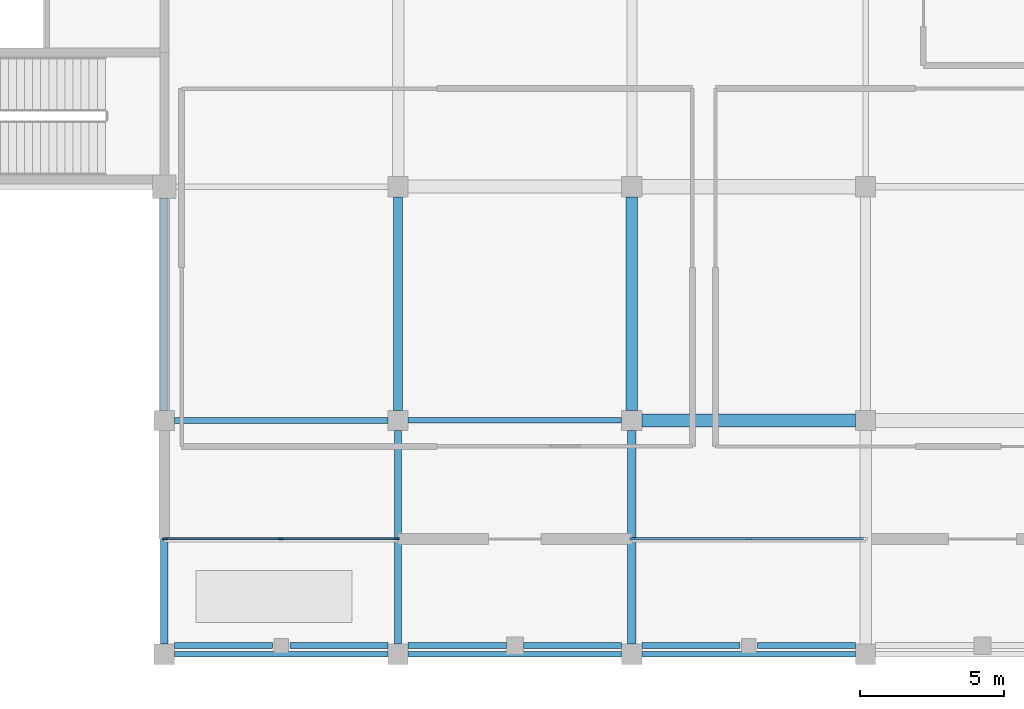
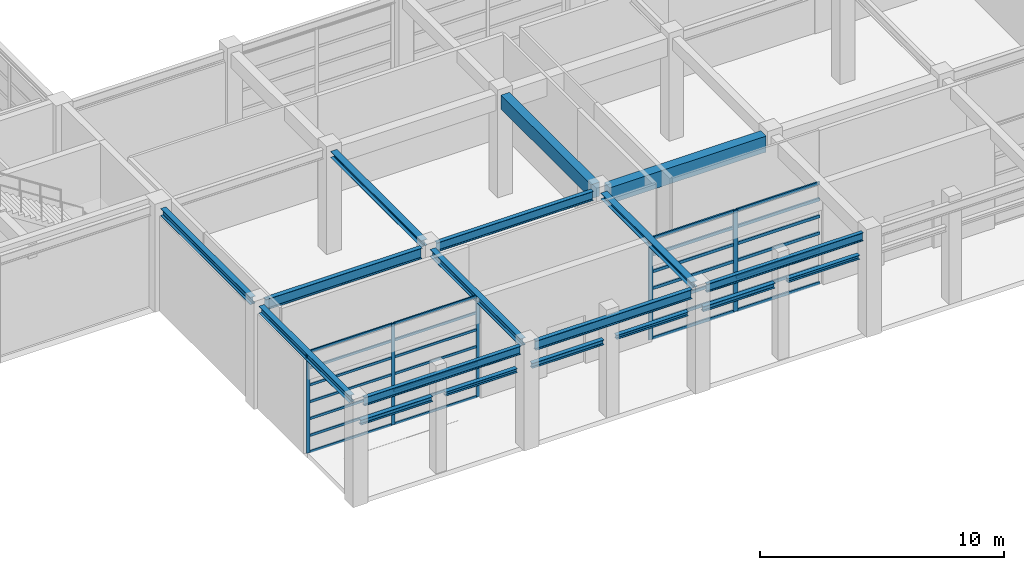
# One storey, part 9 of 52: 33 members, 18 beams, 2 elements without a shape of their own.
"""IFC4 building model written with IfcOpenShell, lengths in metres."""

from ifc_helpers import new_model, si_unit, direction, frame, origin, origin_2d, place, context, subcontext, project, spatial, rectangle, i_section, extrude, material, material_profile, profile_set, type_object, element, aggregate, save


model = new_model("IFC4")

# Units and contexts
model_context = context("Model", 3, precision=1e-05, world=origin(), true_north=direction((0.0, 1.0)))
body_context = subcontext(model_context, "Body", "Model", "MODEL_VIEW")
ifc_project = project(units=[si_unit("LENGTHUNIT", "METRE"), si_unit("AREAUNIT", "SQUARE_METRE"), si_unit("VOLUMEUNIT", "CUBIC_METRE"), si_unit("PLANEANGLEUNIT", "RADIAN"), si_unit("MASSUNIT", "GRAM", prefix="KILO")], contexts=[model_context])

# Site, building, storey
site_placement = place(None, origin())
site = spatial("IfcSite", under=ifc_project, at=site_placement, CompositionType="ELEMENT")
building_placement = place(site_placement, origin())
building = spatial("IfcBuilding", under=site, at=building_placement, Name="Parian Resonance Hall", CompositionType="ELEMENT")
storey_placement = place(building_placement, origin())
storey = spatial("IfcBuildingStorey", under=building, at=storey_placement, Name="L00", CompositionType="ELEMENT", Elevation=0.0)

# Beams
ifc_material_1 = material(Name="Concrete C40/50", Category="concrete")
ifc_material_profile_1 = material_profile(ifc_material_1, rectangle(XDim=0.39990234375, YDim=0.699951171875, at=origin_2d()), Name="RC-BM-400x700")
ifc_profile_set_1 = profile_set([ifc_material_profile_1], Name="Concrete C40/50")
beam_type_1 = type_object("IfcBeamType", Name="BM-RC400x700", PredefinedType="BEAM", material=ifc_profile_set_1)
beam_1_placement = place(storey_placement, frame((89.10009765625, 8.449951171875, 4.75), z_axis=(0.0, 1.0, 0.0), x_axis=(-1.0, 0.0, 0.0)))
element("IfcBeam", 1, at=beam_1_placement, inside=storey, type_object=beam_type_1, Name="GY-L00-0440", PredefinedType="BEAM", context=body_context, shape_type="SweptSolid", body=[
    extrude(rectangle(XDim=0.39990234375, YDim=0.699951171875, at=origin_2d()), origin(), (0.0, 0.0, 1.0), 7.400146484375),
])
ifc_material_2 = material(Name="Concrete C40/50", Category="concrete")
ifc_material_profile_2 = material_profile(ifc_material_2, rectangle(XDim=0.449951171875, YDim=0.800048828125, at=origin_2d()), Name="RC-BM-450x800")
ifc_profile_set_2 = profile_set([ifc_material_profile_2], Name="Concrete C40/50")
beam_type_2 = type_object("IfcBeamType", Name="BM-RC450x800", PredefinedType="USERDEFINED", material=ifc_profile_set_2)
beam_2_placement = place(storey_placement, frame((89.449951171875, 8.10009765625, 4.699951171875), z_axis=(1.0, 0.0, 0.0), x_axis=(0.0, 1.0, 0.0)))
element("IfcBeam", 2, at=beam_2_placement, inside=storey, type_object=beam_type_2, Name="GX-L00-0324", ObjectType="GIRDER", PredefinedType="USERDEFINED", context=body_context, shape_type="SweptSolid", body=[
    extrude(rectangle(XDim=0.449951171875, YDim=0.800048828125, at=origin_2d()), origin(), (0.0, 0.0, 1.0), 7.400146484375),
])
ifc_material_3 = material(Name="Steel S355", Category="steel")
ifc_material_profile_3 = material_profile(ifc_material_3, i_section(OverallWidth=0.202880859375, OverallDepth=0.202880859375, WebThickness=0.007080078125, FlangeThickness=0.010986328125, FilletRadius=0.01025390625, at=origin_2d()), Name="W200x46")
ifc_profile_set_3 = profile_set([ifc_material_profile_3], Name="Steel S355")
beam_type_3 = type_object("IfcBeamType", Name="BM-W200x46", PredefinedType="LINTEL", material=ifc_profile_set_3)
for number, where, z_axis, x_axis, name in (
    (3, (77.25, 0.300048828125, 3.698486328125), (1.0, 0.0, 0.0), (0.0, 1.0, 0.0), "LN-S-09B"),
    (4, (85.35009765625, 0.300048828125, 3.698486328125), (1.0, 0.0, 0.0), (0.0, 1.0, 0.0), "LN-S-10B"),
):
    element("IfcBeam", number, at=place(storey_placement, frame(where, z_axis=z_axis, x_axis=x_axis)), inside=storey, type_object=beam_type_3, Name=name, PredefinedType="LINTEL", context=body_context, shape_type="SweptSolid", body=[
        extrude(i_section(OverallWidth=0.202880859375, OverallDepth=0.202880859375, WebThickness=0.007080078125, FlangeThickness=0.010986328125, FilletRadius=0.01025390625, at=origin_2d()), origin(), (0.0, 0.0, 1.0), 3.39990234375),
    ])
beam_3_placement = place(storey_placement, frame((93.449951171875, 0.300048828125, 3.698486328125), z_axis=(1.0, 0.0, 0.0), x_axis=(0.0, 1.0, 0.0)))
element("IfcBeam", 5, at=beam_3_placement, inside=storey, type_object=beam_type_3, Name="LN-S-11B", PredefinedType="LINTEL", context=body_context, shape_type="SweptSolid", body=[
    extrude(i_section(OverallWidth=0.202880859375, OverallDepth=0.202880859375, WebThickness=0.007080078125, FlangeThickness=0.010986328125, FilletRadius=0.01025390625, at=origin_2d()), origin(), (0.0, 0.0, 1.0), 3.400146484375),
])
ifc_material_4 = material(Name="Steel S355", Category="steel")
ifc_material_profile_4 = material_profile(ifc_material_4, i_section(OverallWidth=0.202880859375, OverallDepth=0.251953125, WebThickness=0.008056640625, FlangeThickness=0.013427734375, FilletRadius=0.0126953125, at=origin_2d()), Name="W250x58")
ifc_profile_set_4 = profile_set([ifc_material_profile_4], Name="Steel S355")
beam_type_4 = type_object("IfcBeamType", Name="BM-W250x58", PredefinedType="LINTEL", material=ifc_profile_set_4)
for number, where, z_axis, x_axis, name in (
    (6, (73.25, 0.300048828125, 3.674072265625), (1.0, 0.0, 0.0), (0.0, 1.0, 0.0), "LN-S-09A"),
    (7, (81.35009765625, 0.300048828125, 3.674072265625), (1.0, 0.0, 0.0), (0.0, 1.0, 0.0), "LN-S-10A"),
):
    element("IfcBeam", number, at=place(storey_placement, frame(where, z_axis=z_axis, x_axis=x_axis)), inside=storey, type_object=beam_type_4, Name=name, PredefinedType="LINTEL", context=body_context, shape_type="SweptSolid", body=[
        extrude(i_section(OverallWidth=0.202880859375, OverallDepth=0.251953125, WebThickness=0.008056640625, FlangeThickness=0.013427734375, FilletRadius=0.0126953125, at=origin_2d()), origin(), (0.0, 0.0, 1.0), 3.39990234375),
    ])
beam_4_placement = place(storey_placement, frame((89.449951171875, 0.300048828125, 3.674072265625), z_axis=(1.0, 0.0, 0.0), x_axis=(0.0, 1.0, 0.0)))
element("IfcBeam", 8, at=beam_4_placement, inside=storey, type_object=beam_type_4, Name="LN-S-11A", PredefinedType="LINTEL", context=body_context, shape_type="SweptSolid", body=[
    extrude(i_section(OverallWidth=0.202880859375, OverallDepth=0.251953125, WebThickness=0.008056640625, FlangeThickness=0.013427734375, FilletRadius=0.0126953125, at=origin_2d()), origin(), (0.0, 0.0, 1.0), 3.400146484375),
])
ifc_material_5 = material(Name="Steel S355", Category="steel")
ifc_material_profile_5 = material_profile(ifc_material_5, i_section(OverallWidth=0.304931640625, OverallDepth=0.30810546875, WebThickness=0.010009765625, FlangeThickness=0.015380859375, FilletRadius=0.01513671875, at=origin_2d()), Name="W310x97")
ifc_profile_set_5 = profile_set([ifc_material_profile_5], Name="Steel S355")
beam_type_5 = type_object("IfcBeamType", Name="BM-W310x97", PredefinedType="BEAM", material=ifc_profile_set_5)
beam_5_placement = place(storey_placement, frame((81.0, 8.449951171875, 4.946044921875), z_axis=(0.0, 1.0, 0.0), x_axis=(-1.0, 0.0, 0.0)))
element("IfcBeam", 9, at=beam_5_placement, inside=storey, type_object=beam_type_5, Name="GY-L00-0435", PredefinedType="BEAM", context=body_context, shape_type="SweptSolid", body=[
    extrude(i_section(OverallWidth=0.304931640625, OverallDepth=0.30810546875, WebThickness=0.010009765625, FlangeThickness=0.015380859375, FilletRadius=0.01513671875, at=origin_2d()), origin(), (0.0, 0.0, 1.0), 7.400146484375),
])
beam_6_placement = place(storey_placement, frame((89.10009765625, 0.35009765625, 4.946044921875), z_axis=(0.0, 1.0, 0.0), x_axis=(-1.0, 0.0, 0.0)))
element("IfcBeam", 10, at=beam_6_placement, inside=storey, type_object=beam_type_5, Name="GY-L00-0439", PredefinedType="BEAM", context=body_context, shape_type="SweptSolid", body=[
    extrude(i_section(OverallWidth=0.304931640625, OverallDepth=0.30810546875, WebThickness=0.010009765625, FlangeThickness=0.015380859375, FilletRadius=0.01513671875, at=origin_2d()), origin(), (0.0, 0.0, 1.0), 7.39990234375),
])
ifc_material_6 = material(Name="Steel S355", Category="steel")
ifc_material_profile_6 = material_profile(ifc_material_6, i_section(OverallWidth=0.2548828125, OverallDepth=0.35693359375, WebThickness=0.010498046875, FlangeThickness=0.018310546875, FilletRadius=0.01513671875, at=origin_2d()), Name="W360x101")
ifc_profile_set_6 = profile_set([ifc_material_profile_6], Name="Steel S355")
beam_type_6 = type_object("IfcBeamType", Name="BM-W360x101", PredefinedType="SPANDREL", material=ifc_profile_set_6)
beam_7_placement = place(storey_placement, frame((72.89990234375, 0.35009765625, 4.92138671875), z_axis=(0.0, 1.0, 0.0), x_axis=(-1.0, 0.0, 0.0)))
element("IfcBeam", 11, at=beam_7_placement, inside=storey, type_object=beam_type_6, Name="GY-L00-0427", PredefinedType="SPANDREL", context=body_context, shape_type="SweptSolid", body=[
    extrude(i_section(OverallWidth=0.2548828125, OverallDepth=0.35693359375, WebThickness=0.010498046875, FlangeThickness=0.018310546875, FilletRadius=0.01513671875, at=origin_2d()), origin(), (0.0, 0.0, 1.0), 7.39990234375),
])
beam_8_placement = place(storey_placement, frame((72.89990234375, 8.449951171875, 4.92138671875), z_axis=(0.0, 1.0, 0.0), x_axis=(-1.0, 0.0, 0.0)))
element("IfcBeam", 12, at=beam_8_placement, inside=storey, type_object=beam_type_6, Name="GY-L00-0428", PredefinedType="SPANDREL", context=body_context, shape_type="SweptSolid", body=[
    extrude(i_section(OverallWidth=0.2548828125, OverallDepth=0.35693359375, WebThickness=0.010498046875, FlangeThickness=0.018310546875, FilletRadius=0.01513671875, at=origin_2d()), origin(), (0.0, 0.0, 1.0), 7.35009765625),
])
beam_9_placement = place(storey_placement, frame((81.0, 0.35009765625, 4.92138671875), z_axis=(0.0, 1.0, 0.0), x_axis=(-1.0, 0.0, 0.0)))
element("IfcBeam", 13, at=beam_9_placement, inside=storey, type_object=beam_type_6, Name="GY-L00-0434", PredefinedType="SPANDREL", context=body_context, shape_type="SweptSolid", body=[
    extrude(i_section(OverallWidth=0.2548828125, OverallDepth=0.35693359375, WebThickness=0.010498046875, FlangeThickness=0.018310546875, FilletRadius=0.01513671875, at=origin_2d()), origin(), (0.0, 0.0, 1.0), 7.39990234375),
])
ifc_material_7 = material(Name="Steel S355", Category="steel")
ifc_material_profile_7 = material_profile(ifc_material_7, i_section(OverallWidth=0.180908203125, OverallDepth=0.4169921875, WebThickness=0.010986328125, FlangeThickness=0.018310546875, FilletRadius=0.01513671875, at=origin_2d()), Name="W410x85")
ifc_profile_set_7 = profile_set([ifc_material_profile_7], Name="Steel S355")
beam_type_7 = type_object("IfcBeamType", Name="BM-W410x85", PredefinedType="SPANDREL", material=ifc_profile_set_7)
beam_10_placement = place(storey_placement, frame((73.25, 0.0, 4.8916015625), z_axis=(1.0, 0.0, 0.0), x_axis=(0.0, 1.0, 0.0)))
element("IfcBeam", 14, at=beam_10_placement, inside=storey, type_object=beam_type_7, Name="GX-L00-0309", PredefinedType="SPANDREL", context=body_context, shape_type="SweptSolid", body=[
    extrude(i_section(OverallWidth=0.180908203125, OverallDepth=0.4169921875, WebThickness=0.010986328125, FlangeThickness=0.018310546875, FilletRadius=0.01513671875, at=origin_2d()), origin(), (0.0, 0.0, 1.0), 7.39990234375),
])
beam_11_placement = place(storey_placement, frame((89.449951171875, 0.0, 4.8916015625), z_axis=(1.0, 0.0, 0.0), x_axis=(0.0, 1.0, 0.0)))
element("IfcBeam", 15, at=beam_11_placement, inside=storey, type_object=beam_type_7, Name="GX-L00-0323", PredefinedType="SPANDREL", context=body_context, shape_type="SweptSolid", body=[
    extrude(i_section(OverallWidth=0.180908203125, OverallDepth=0.4169921875, WebThickness=0.010986328125, FlangeThickness=0.018310546875, FilletRadius=0.01513671875, at=origin_2d()), origin(), (0.0, 0.0, 1.0), 7.400146484375),
])
ifc_material_8 = material(Name="Steel S355", Category="steel")
ifc_material_profile_8 = material_profile(ifc_material_8, i_section(OverallWidth=0.194091796875, OverallDepth=0.468994140625, WebThickness=0.0126953125, FlangeThickness=0.0205078125, FilletRadius=0.01513671875, at=origin_2d()), Name="W460x106")
ifc_profile_set_8 = profile_set([ifc_material_profile_8], Name="Steel S355")
beam_type_8 = type_object("IfcBeamType", Name="BM-W460x106", PredefinedType="SPANDREL", material=ifc_profile_set_8)
beam_12_placement = place(storey_placement, frame((81.35009765625, 0.0, 4.865478515625), z_axis=(1.0, 0.0, 0.0), x_axis=(0.0, 1.0, 0.0)))
element("IfcBeam", 16, at=beam_12_placement, inside=storey, type_object=beam_type_8, Name="GX-L00-0316", PredefinedType="SPANDREL", context=body_context, shape_type="SweptSolid", body=[
    extrude(i_section(OverallWidth=0.194091796875, OverallDepth=0.468994140625, WebThickness=0.0126953125, FlangeThickness=0.0205078125, FilletRadius=0.01513671875, at=origin_2d()), origin(), (0.0, 0.0, 1.0), 7.39990234375),
])
ifc_material_9 = material(Name="Steel S355", Category="steel")
ifc_material_profile_9 = material_profile(ifc_material_9, i_section(OverallWidth=0.19091796875, OverallDepth=0.4599609375, WebThickness=0.010009765625, FlangeThickness=0.01611328125, FilletRadius=0.01513671875, at=origin_2d()), Name="W460x82")
ifc_profile_set_9 = profile_set([ifc_material_profile_9], Name="Steel S355")
beam_type_9 = type_object("IfcBeamType", Name="BM-W460x82", PredefinedType="BEAM", material=ifc_profile_set_9)
beam_13_placement = place(storey_placement, frame((81.35009765625, 8.10009765625, 4.8701171875), z_axis=(1.0, 0.0, 0.0), x_axis=(0.0, 1.0, 0.0)))
element("IfcBeam", 17, at=beam_13_placement, inside=storey, type_object=beam_type_9, Name="GX-L00-0317", PredefinedType="BEAM", context=body_context, shape_type="SweptSolid", body=[
    extrude(i_section(OverallWidth=0.19091796875, OverallDepth=0.4599609375, WebThickness=0.010009765625, FlangeThickness=0.01611328125, FilletRadius=0.01513671875, at=origin_2d()), origin(), (0.0, 0.0, 1.0), 7.39990234375),
])
ifc_material_10 = material(Name="Steel S355", Category="steel")
ifc_material_profile_10 = material_profile(ifc_material_10, i_section(OverallWidth=0.208984375, OverallDepth=0.532958984375, WebThickness=0.01025390625, FlangeThickness=0.015625, FilletRadius=0.017822265625, at=origin_2d()), Name="W530x92")
ifc_profile_set_10 = profile_set([ifc_material_profile_10], Name="Steel S355")
beam_type_10 = type_object("IfcBeamType", Name="BM-W530x92", PredefinedType="BEAM", material=ifc_profile_set_10)
beam_14_placement = place(storey_placement, frame((73.25, 8.10009765625, 4.83349609375), z_axis=(1.0, 0.0, 0.0), x_axis=(0.0, 1.0, 0.0)))
element("IfcBeam", 18, at=beam_14_placement, inside=storey, type_object=beam_type_10, Name="GX-L00-0310", PredefinedType="BEAM", context=body_context, shape_type="SweptSolid", body=[
    extrude(i_section(OverallWidth=0.208984375, OverallDepth=0.532958984375, WebThickness=0.01025390625, FlangeThickness=0.015625, FilletRadius=0.017822265625, at=origin_2d()), origin(), (0.0, 0.0, 1.0), 7.39990234375),
])

# Curtain wall, members
ifc_material_11 = material(Name="Bronze-anodised aluminium frame", Category="aluminium")
curtain_wall_type_1 = type_object("IfcCurtainWallType", Name="CW-SYS-04", PredefinedType="NOTDEFINED", material=ifc_material_11)
curtain_wall_1_placement = place(storey_placement, origin())
curtain_wall_1 = element("IfcCurtainWall", 19, at=curtain_wall_1_placement, inside=storey, type_object=curtain_wall_type_1, Name="Curtain wall CW-L00-073", PredefinedType="NOTDEFINED")
ifc_material_12 = material(Name="Bronze-anodised aluminium frame", Category="aluminium")
ifc_material_profile_11 = material_profile(ifc_material_12, rectangle(XDim=0.06494140625, YDim=0.159912109375, at=origin_2d()), Name="CWM-65x160")
ifc_profile_set_11 = profile_set([ifc_material_profile_11], Name="Bronze-anodised aluminium frame")
member_type_1 = type_object("IfcMemberType", Name="CWM-65x160", PredefinedType="MULLION", material=ifc_profile_set_11)
member_1_placement = place(storey_placement, frame((80.967529296875, 4.0, -0.008056640625), z_axis=(0.0, 0.0, 1.0), x_axis=(0.0, -1.0, 0.0)))
member_1 = element("IfcMember", 20, at=member_1_placement, type_object=member_type_1, Name="CW-04 mullion 1", PredefinedType="MULLION", context=body_context, shape_type="SweptSolid", body=[
    extrude(rectangle(XDim=0.06494140625, YDim=0.159912109375, at=origin_2d()), origin(), (0.0, 0.0, 1.0), 5.068115234375),
])
member_2_placement = place(storey_placement, frame((76.949951171875, 4.0, -0.008056640625), z_axis=(0.0, 0.0, 1.0), x_axis=(0.0, -1.0, 0.0)))
member_2 = element("IfcMember", 21, at=member_2_placement, type_object=member_type_1, Name="CW-04 mullion 2", PredefinedType="MULLION", context=body_context, shape_type="SweptSolid", body=[
    extrude(rectangle(XDim=0.06494140625, YDim=0.159912109375, at=origin_2d()), origin(), (0.0, 0.0, 1.0), 5.068115234375),
])
member_3_placement = place(storey_placement, frame((72.9326171875, 4.0, -0.008056640625), z_axis=(0.0, 0.0, 1.0), x_axis=(0.0, -1.0, 0.0)))
member_3 = element("IfcMember", 22, at=member_3_placement, type_object=member_type_1, Name="CW-04 mullion 3", PredefinedType="MULLION", context=body_context, shape_type="SweptSolid", body=[
    extrude(rectangle(XDim=0.06494140625, YDim=0.159912109375, at=origin_2d()), origin(), (0.0, 0.0, 1.0), 5.068115234375),
])

ifc_material_13 = material(Name="Bronze-anodised aluminium frame", Category="aluminium")
curtain_wall_type_2 = type_object("IfcCurtainWallType", Name="CW-SYS-06", PredefinedType="NOTDEFINED", material=ifc_material_13)
curtain_wall_2_placement = place(storey_placement, origin())
curtain_wall_2 = element("IfcCurtainWall", 23, at=curtain_wall_2_placement, inside=storey, type_object=curtain_wall_type_2, Name="Curtain wall CW-L00-074", PredefinedType="NOTDEFINED")
ifc_material_14 = material(Name="Bronze-anodised aluminium frame", Category="aluminium")
ifc_material_profile_12 = material_profile(ifc_material_14, rectangle(XDim=0.074951171875, YDim=0.199951171875, at=origin_2d()), Name="CWM-75x200")
ifc_profile_set_12 = profile_set([ifc_material_profile_12], Name="Bronze-anodised aluminium frame")
member_type_2 = type_object("IfcMemberType", Name="CWM-75x200", PredefinedType="MULLION", material=ifc_profile_set_12)
member_4_placement = place(storey_placement, frame((93.14990234375, 4.0, -0.008056640625), z_axis=(0.0, 0.0, 1.0), x_axis=(0.0, -1.0, 0.0)))
member_4 = element("IfcMember", 24, at=member_4_placement, type_object=member_type_2, Name="CW-06 mullion 2", PredefinedType="MULLION", context=body_context, shape_type="SweptSolid", body=[
    extrude(rectangle(XDim=0.074951171875, YDim=0.199951171875, at=origin_2d()), origin(), (0.0, 0.0, 1.0), 5.068115234375),
])
member_5_placement = place(storey_placement, frame((89.137451171875, 4.0, -0.008056640625), z_axis=(0.0, 0.0, 1.0), x_axis=(0.0, -1.0, 0.0)))
member_5 = element("IfcMember", 25, at=member_5_placement, type_object=member_type_2, Name="CW-06 mullion 3", PredefinedType="MULLION", context=body_context, shape_type="SweptSolid", body=[
    extrude(rectangle(XDim=0.074951171875, YDim=0.199951171875, at=origin_2d()), origin(), (0.0, 0.0, 1.0), 5.068115234375),
])

# Member
ifc_material_15 = material(Name="Bronze-anodised aluminium frame", Category="aluminium")
ifc_material_profile_13 = material_profile(ifc_material_15, rectangle(XDim=0.06494140625, YDim=0.1201171875, at=origin_2d()), Name="CWT-65x120")
ifc_profile_set_13 = profile_set([ifc_material_profile_13], Name="Bronze-anodised aluminium frame")
member_type_3 = type_object("IfcMemberType", Name="CWT-65x120", PredefinedType="USERDEFINED", material=ifc_profile_set_13)
member_6_placement = place(storey_placement, frame((80.93505859375, 4.0, 0.0244140625), z_axis=(-1.0, 0.0, 0.0), x_axis=(0.0, -1.0, 0.0)))
member_6 = element("IfcMember", 26, at=member_6_placement, type_object=member_type_3, Name="CW-04 transom 1.1", ObjectType="TRANSOM", PredefinedType="USERDEFINED", context=body_context, shape_type="SweptSolid", body=[
    extrude(rectangle(XDim=0.06494140625, YDim=0.1201171875, at=origin_2d()), origin(), (0.0, 0.0, 1.0), 3.95263671875),
])

member_7_placement = place(storey_placement, frame((80.93505859375, 4.0, 0.841796875), z_axis=(-1.0, 0.0, 0.0), x_axis=(0.0, -1.0, 0.0)))
member_7 = element("IfcMember", 27, at=member_7_placement, type_object=member_type_3, Name="CW-04 transom 1.2", ObjectType="TRANSOM", PredefinedType="USERDEFINED", context=body_context, shape_type="SweptSolid", body=[
    extrude(rectangle(XDim=0.06494140625, YDim=0.1201171875, at=origin_2d()), origin(), (0.0, 0.0, 1.0), 3.95263671875),
])

member_8_placement = place(storey_placement, frame((80.93505859375, 4.0, 1.683349609375), z_axis=(-1.0, 0.0, 0.0), x_axis=(0.0, -1.0, 0.0)))
member_8 = element("IfcMember", 28, at=member_8_placement, type_object=member_type_3, Name="CW-04 transom 1.3", ObjectType="TRANSOM", PredefinedType="USERDEFINED", context=body_context, shape_type="SweptSolid", body=[
    extrude(rectangle(XDim=0.06494140625, YDim=0.1201171875, at=origin_2d()), origin(), (0.0, 0.0, 1.0), 3.95263671875),
])

member_9_placement = place(storey_placement, frame((80.93505859375, 4.0, 2.52490234375), z_axis=(-1.0, 0.0, 0.0), x_axis=(0.0, -1.0, 0.0)))
member_9 = element("IfcMember", 29, at=member_9_placement, type_object=member_type_3, Name="CW-04 transom 1.4", ObjectType="TRANSOM", PredefinedType="USERDEFINED", context=body_context, shape_type="SweptSolid", body=[
    extrude(rectangle(XDim=0.06494140625, YDim=0.1201171875, at=origin_2d()), origin(), (0.0, 0.0, 1.0), 3.95263671875),
])

member_10_placement = place(storey_placement, frame((80.93505859375, 4.0, 3.36669921875), z_axis=(-1.0, 0.0, 0.0), x_axis=(0.0, -1.0, 0.0)))
member_10 = element("IfcMember", 30, at=member_10_placement, type_object=member_type_3, Name="CW-04 transom 1.5", ObjectType="TRANSOM", PredefinedType="USERDEFINED", context=body_context, shape_type="SweptSolid", body=[
    extrude(rectangle(XDim=0.06494140625, YDim=0.1201171875, at=origin_2d()), origin(), (0.0, 0.0, 1.0), 3.95263671875),
])

member_11_placement = place(storey_placement, frame((80.93505859375, 4.0, 4.208251953125), z_axis=(-1.0, 0.0, 0.0), x_axis=(0.0, -1.0, 0.0)))
member_11 = element("IfcMember", 31, at=member_11_placement, type_object=member_type_3, Name="CW-04 transom 1.6", ObjectType="TRANSOM", PredefinedType="USERDEFINED", context=body_context, shape_type="SweptSolid", body=[
    extrude(rectangle(XDim=0.06494140625, YDim=0.1201171875, at=origin_2d()), origin(), (0.0, 0.0, 1.0), 3.95263671875),
])

member_12_placement = place(storey_placement, frame((80.93505859375, 4.0, 5.027587890625), z_axis=(-1.0, 0.0, 0.0), x_axis=(0.0, -1.0, 0.0)))
member_12 = element("IfcMember", 32, at=member_12_placement, type_object=member_type_3, Name="CW-04 transom 1.7", ObjectType="TRANSOM", PredefinedType="USERDEFINED", context=body_context, shape_type="SweptSolid", body=[
    extrude(rectangle(XDim=0.06494140625, YDim=0.1201171875, at=origin_2d()), origin(), (0.0, 0.0, 1.0), 3.95263671875),
])

member_13_placement = place(storey_placement, frame((76.91748046875, 4.0, 0.0244140625), z_axis=(-1.0, 0.0, 0.0), x_axis=(0.0, -1.0, 0.0)))
member_13 = element("IfcMember", 33, at=member_13_placement, type_object=member_type_3, Name="CW-04 transom 2.1", ObjectType="TRANSOM", PredefinedType="USERDEFINED", context=body_context, shape_type="SweptSolid", body=[
    extrude(rectangle(XDim=0.06494140625, YDim=0.1201171875, at=origin_2d()), origin(), (0.0, 0.0, 1.0), 3.952392578125),
])

member_14_placement = place(storey_placement, frame((76.91748046875, 4.0, 0.841796875), z_axis=(-1.0, 0.0, 0.0), x_axis=(0.0, -1.0, 0.0)))
member_14 = element("IfcMember", 34, at=member_14_placement, type_object=member_type_3, Name="CW-04 transom 2.2", ObjectType="TRANSOM", PredefinedType="USERDEFINED", context=body_context, shape_type="SweptSolid", body=[
    extrude(rectangle(XDim=0.06494140625, YDim=0.1201171875, at=origin_2d()), origin(), (0.0, 0.0, 1.0), 3.952392578125),
])

member_15_placement = place(storey_placement, frame((76.91748046875, 4.0, 1.683349609375), z_axis=(-1.0, 0.0, 0.0), x_axis=(0.0, -1.0, 0.0)))
member_15 = element("IfcMember", 35, at=member_15_placement, type_object=member_type_3, Name="CW-04 transom 2.3", ObjectType="TRANSOM", PredefinedType="USERDEFINED", context=body_context, shape_type="SweptSolid", body=[
    extrude(rectangle(XDim=0.06494140625, YDim=0.1201171875, at=origin_2d()), origin(), (0.0, 0.0, 1.0), 3.952392578125),
])

member_16_placement = place(storey_placement, frame((76.91748046875, 4.0, 2.52490234375), z_axis=(-1.0, 0.0, 0.0), x_axis=(0.0, -1.0, 0.0)))
member_16 = element("IfcMember", 36, at=member_16_placement, type_object=member_type_3, Name="CW-04 transom 2.4", ObjectType="TRANSOM", PredefinedType="USERDEFINED", context=body_context, shape_type="SweptSolid", body=[
    extrude(rectangle(XDim=0.06494140625, YDim=0.1201171875, at=origin_2d()), origin(), (0.0, 0.0, 1.0), 3.952392578125),
])

member_17_placement = place(storey_placement, frame((76.91748046875, 4.0, 3.36669921875), z_axis=(-1.0, 0.0, 0.0), x_axis=(0.0, -1.0, 0.0)))
member_17 = element("IfcMember", 37, at=member_17_placement, type_object=member_type_3, Name="CW-04 transom 2.5", ObjectType="TRANSOM", PredefinedType="USERDEFINED", context=body_context, shape_type="SweptSolid", body=[
    extrude(rectangle(XDim=0.06494140625, YDim=0.1201171875, at=origin_2d()), origin(), (0.0, 0.0, 1.0), 3.952392578125),
])

member_18_placement = place(storey_placement, frame((76.91748046875, 4.0, 4.208251953125), z_axis=(-1.0, 0.0, 0.0), x_axis=(0.0, -1.0, 0.0)))
member_18 = element("IfcMember", 38, at=member_18_placement, type_object=member_type_3, Name="CW-04 transom 2.6", ObjectType="TRANSOM", PredefinedType="USERDEFINED", context=body_context, shape_type="SweptSolid", body=[
    extrude(rectangle(XDim=0.06494140625, YDim=0.1201171875, at=origin_2d()), origin(), (0.0, 0.0, 1.0), 3.952392578125),
])

member_19_placement = place(storey_placement, frame((76.91748046875, 4.0, 5.027587890625), z_axis=(-1.0, 0.0, 0.0), x_axis=(0.0, -1.0, 0.0)))
member_19 = element("IfcMember", 39, at=member_19_placement, type_object=member_type_3, Name="CW-04 transom 2.7", ObjectType="TRANSOM", PredefinedType="USERDEFINED", context=body_context, shape_type="SweptSolid", body=[
    extrude(rectangle(XDim=0.06494140625, YDim=0.1201171875, at=origin_2d()), origin(), (0.0, 0.0, 1.0), 3.952392578125),
])

aggregate(curtain_wall_1, [member_1, member_2, member_3, member_6, member_7, member_8, member_9, member_10, member_11, member_12, member_13, member_14, member_15, member_16, member_17, member_18, member_19])

ifc_material_16 = material(Name="Bronze-anodised aluminium frame", Category="aluminium")
ifc_material_profile_14 = material_profile(ifc_material_16, rectangle(XDim=0.074951171875, YDim=0.14990234375, at=origin_2d()), Name="CWT-75x150")
ifc_profile_set_14 = profile_set([ifc_material_profile_14], Name="Bronze-anodised aluminium frame")
member_type_4 = type_object("IfcMemberType", Name="CWT-75x150", PredefinedType="USERDEFINED", material=ifc_profile_set_14)
member_20_placement = place(storey_placement, frame((97.125, 4.0, 0.029541015625), z_axis=(-1.0, 0.0, 0.0), x_axis=(0.0, -1.0, 0.0)))
member_20 = element("IfcMember", 40, at=member_20_placement, type_object=member_type_4, Name="CW-06 transom 1.1", ObjectType="TRANSOM", PredefinedType="USERDEFINED", context=body_context, shape_type="SweptSolid", body=[
    extrude(rectangle(XDim=0.074951171875, YDim=0.14990234375, at=origin_2d()), origin(), (0.0, 0.0, 1.0), 3.9375),
])

member_21_placement = place(storey_placement, frame((97.125, 4.0, 0.841796875), z_axis=(-1.0, 0.0, 0.0), x_axis=(0.0, -1.0, 0.0)))
member_21 = element("IfcMember", 41, at=member_21_placement, type_object=member_type_4, Name="CW-06 transom 1.2", ObjectType="TRANSOM", PredefinedType="USERDEFINED", context=body_context, shape_type="SweptSolid", body=[
    extrude(rectangle(XDim=0.074951171875, YDim=0.14990234375, at=origin_2d()), origin(), (0.0, 0.0, 1.0), 3.9375),
])

member_22_placement = place(storey_placement, frame((97.125, 4.0, 1.683349609375), z_axis=(-1.0, 0.0, 0.0), x_axis=(0.0, -1.0, 0.0)))
member_22 = element("IfcMember", 42, at=member_22_placement, type_object=member_type_4, Name="CW-06 transom 1.3", ObjectType="TRANSOM", PredefinedType="USERDEFINED", context=body_context, shape_type="SweptSolid", body=[
    extrude(rectangle(XDim=0.074951171875, YDim=0.14990234375, at=origin_2d()), origin(), (0.0, 0.0, 1.0), 3.9375),
])

member_23_placement = place(storey_placement, frame((97.125, 4.0, 2.52490234375), z_axis=(-1.0, 0.0, 0.0), x_axis=(0.0, -1.0, 0.0)))
member_23 = element("IfcMember", 43, at=member_23_placement, type_object=member_type_4, Name="CW-06 transom 1.4", ObjectType="TRANSOM", PredefinedType="USERDEFINED", context=body_context, shape_type="SweptSolid", body=[
    extrude(rectangle(XDim=0.074951171875, YDim=0.14990234375, at=origin_2d()), origin(), (0.0, 0.0, 1.0), 3.9375),
])

member_24_placement = place(storey_placement, frame((97.125, 4.0, 3.36669921875), z_axis=(-1.0, 0.0, 0.0), x_axis=(0.0, -1.0, 0.0)))
member_24 = element("IfcMember", 44, at=member_24_placement, type_object=member_type_4, Name="CW-06 transom 1.5", ObjectType="TRANSOM", PredefinedType="USERDEFINED", context=body_context, shape_type="SweptSolid", body=[
    extrude(rectangle(XDim=0.074951171875, YDim=0.14990234375, at=origin_2d()), origin(), (0.0, 0.0, 1.0), 3.9375),
])

member_25_placement = place(storey_placement, frame((97.125, 4.0, 4.208251953125), z_axis=(-1.0, 0.0, 0.0), x_axis=(0.0, -1.0, 0.0)))
member_25 = element("IfcMember", 45, at=member_25_placement, type_object=member_type_4, Name="CW-06 transom 1.6", ObjectType="TRANSOM", PredefinedType="USERDEFINED", context=body_context, shape_type="SweptSolid", body=[
    extrude(rectangle(XDim=0.074951171875, YDim=0.14990234375, at=origin_2d()), origin(), (0.0, 0.0, 1.0), 3.9375),
])

member_26_placement = place(storey_placement, frame((97.125, 4.0, 5.0224609375), z_axis=(-1.0, 0.0, 0.0), x_axis=(0.0, -1.0, 0.0)))
member_26 = element("IfcMember", 46, at=member_26_placement, type_object=member_type_4, Name="CW-06 transom 1.7", ObjectType="TRANSOM", PredefinedType="USERDEFINED", context=body_context, shape_type="SweptSolid", body=[
    extrude(rectangle(XDim=0.074951171875, YDim=0.14990234375, at=origin_2d()), origin(), (0.0, 0.0, 1.0), 3.9375),
])

member_27_placement = place(storey_placement, frame((93.112548828125, 4.0, 0.029541015625), z_axis=(-1.0, 0.0, 0.0), x_axis=(0.0, -1.0, 0.0)))
member_27 = element("IfcMember", 47, at=member_27_placement, type_object=member_type_4, Name="CW-06 transom 2.1", ObjectType="TRANSOM", PredefinedType="USERDEFINED", context=body_context, shape_type="SweptSolid", body=[
    extrude(rectangle(XDim=0.074951171875, YDim=0.14990234375, at=origin_2d()), origin(), (0.0, 0.0, 1.0), 3.9375),
])

member_28_placement = place(storey_placement, frame((93.112548828125, 4.0, 0.841796875), z_axis=(-1.0, 0.0, 0.0), x_axis=(0.0, -1.0, 0.0)))
member_28 = element("IfcMember", 48, at=member_28_placement, type_object=member_type_4, Name="CW-06 transom 2.2", ObjectType="TRANSOM", PredefinedType="USERDEFINED", context=body_context, shape_type="SweptSolid", body=[
    extrude(rectangle(XDim=0.074951171875, YDim=0.14990234375, at=origin_2d()), origin(), (0.0, 0.0, 1.0), 3.9375),
])

member_29_placement = place(storey_placement, frame((93.112548828125, 4.0, 1.683349609375), z_axis=(-1.0, 0.0, 0.0), x_axis=(0.0, -1.0, 0.0)))
member_29 = element("IfcMember", 49, at=member_29_placement, type_object=member_type_4, Name="CW-06 transom 2.3", ObjectType="TRANSOM", PredefinedType="USERDEFINED", context=body_context, shape_type="SweptSolid", body=[
    extrude(rectangle(XDim=0.074951171875, YDim=0.14990234375, at=origin_2d()), origin(), (0.0, 0.0, 1.0), 3.9375),
])

member_30_placement = place(storey_placement, frame((93.112548828125, 4.0, 2.52490234375), z_axis=(-1.0, 0.0, 0.0), x_axis=(0.0, -1.0, 0.0)))
member_30 = element("IfcMember", 50, at=member_30_placement, type_object=member_type_4, Name="CW-06 transom 2.4", ObjectType="TRANSOM", PredefinedType="USERDEFINED", context=body_context, shape_type="SweptSolid", body=[
    extrude(rectangle(XDim=0.074951171875, YDim=0.14990234375, at=origin_2d()), origin(), (0.0, 0.0, 1.0), 3.9375),
])

member_31_placement = place(storey_placement, frame((93.112548828125, 4.0, 3.36669921875), z_axis=(-1.0, 0.0, 0.0), x_axis=(0.0, -1.0, 0.0)))
member_31 = element("IfcMember", 51, at=member_31_placement, type_object=member_type_4, Name="CW-06 transom 2.5", ObjectType="TRANSOM", PredefinedType="USERDEFINED", context=body_context, shape_type="SweptSolid", body=[
    extrude(rectangle(XDim=0.074951171875, YDim=0.14990234375, at=origin_2d()), origin(), (0.0, 0.0, 1.0), 3.9375),
])

member_32_placement = place(storey_placement, frame((93.112548828125, 4.0, 4.208251953125), z_axis=(-1.0, 0.0, 0.0), x_axis=(0.0, -1.0, 0.0)))
member_32 = element("IfcMember", 52, at=member_32_placement, type_object=member_type_4, Name="CW-06 transom 2.6", ObjectType="TRANSOM", PredefinedType="USERDEFINED", context=body_context, shape_type="SweptSolid", body=[
    extrude(rectangle(XDim=0.074951171875, YDim=0.14990234375, at=origin_2d()), origin(), (0.0, 0.0, 1.0), 3.9375),
])

member_33_placement = place(storey_placement, frame((93.112548828125, 4.0, 5.0224609375), z_axis=(-1.0, 0.0, 0.0), x_axis=(0.0, -1.0, 0.0)))
member_33 = element("IfcMember", 53, at=member_33_placement, type_object=member_type_4, Name="CW-06 transom 2.7", ObjectType="TRANSOM", PredefinedType="USERDEFINED", context=body_context, shape_type="SweptSolid", body=[
    extrude(rectangle(XDim=0.074951171875, YDim=0.14990234375, at=origin_2d()), origin(), (0.0, 0.0, 1.0), 3.9375),
])

aggregate(curtain_wall_2, [member_4, member_5, member_20, member_21, member_22, member_23, member_24, member_25, member_26, member_27, member_28, member_29, member_30, member_31, member_32, member_33])

save(model, "model.ifc")
